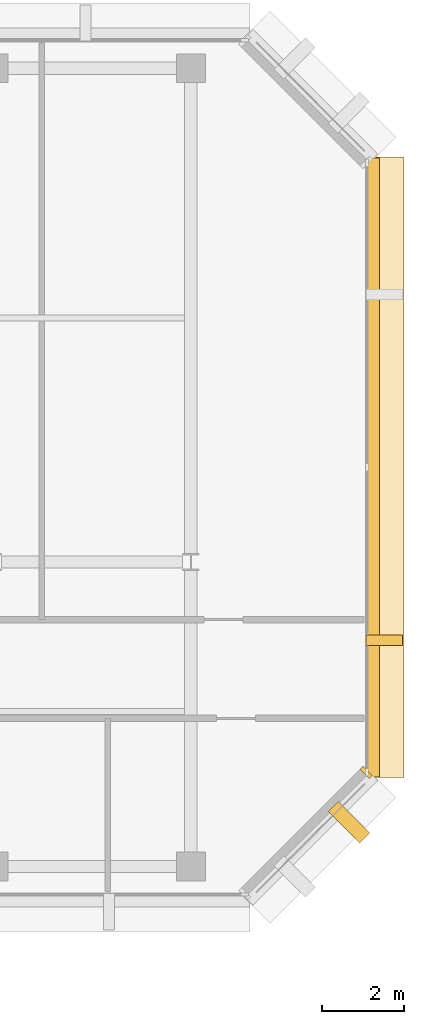
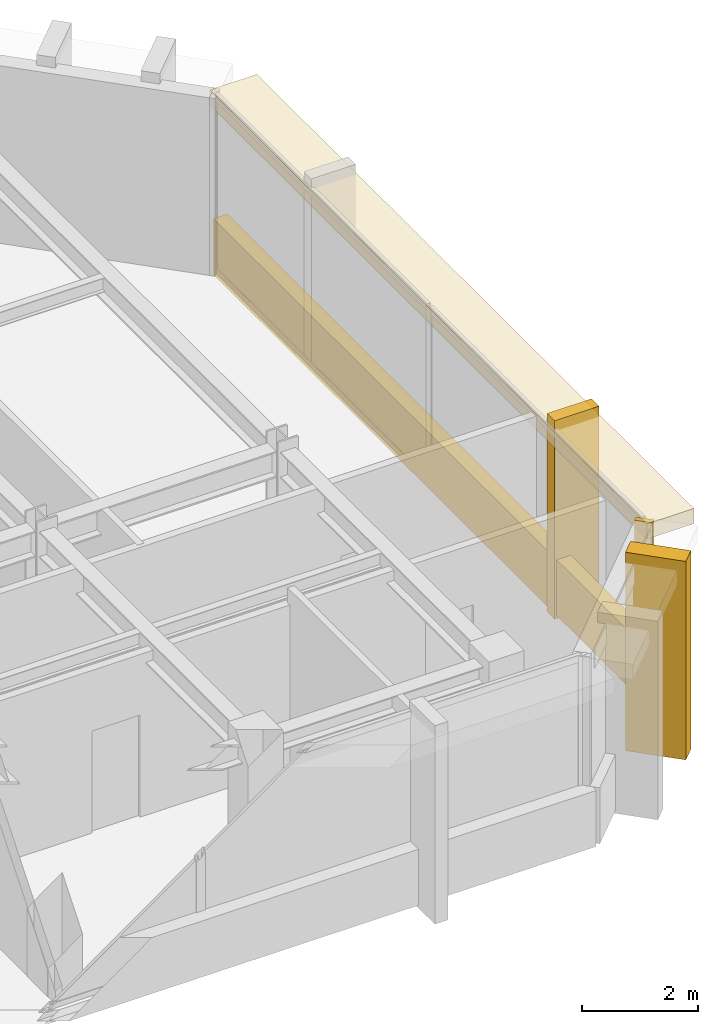
# One storey, part 10 of 12: 5 coverings.
"""IFC4 building model written with IfcOpenShell, lengths in metres."""

from ifc_helpers import new_model, si_unit, direction, frame, origin, origin_2d, place, context, subcontext, project, spatial, rectangle, extrude, material, layer, layer_set, type_object, element, save


model = new_model("IFC4")

# Units and contexts
model_context = context("Model", 3, precision=1e-05, world=origin(), true_north=direction((0.0, 1.0)))
body_context = subcontext(model_context, "Body", "Model", "MODEL_VIEW")
ifc_project = project(units=[si_unit("LENGTHUNIT", "METRE"), si_unit("AREAUNIT", "SQUARE_METRE"), si_unit("VOLUMEUNIT", "CUBIC_METRE"), si_unit("PLANEANGLEUNIT", "RADIAN"), si_unit("MASSUNIT", "GRAM", prefix="KILO")], contexts=[model_context])

# Site, building, storey
site_placement = place(None, origin())
site = spatial("IfcSite", under=ifc_project, at=site_placement, CompositionType="ELEMENT")
building_placement = place(site_placement, origin())
building = spatial("IfcBuilding", under=site, at=building_placement, Name="Kefirva Bronze Tower", CompositionType="ELEMENT")
storey_placement = place(building_placement, frame((0.0, 0.0, 296.010009765625)))
storey = spatial("IfcBuildingStorey", under=building, at=storey_placement, Name="L72", CompositionType="ELEMENT", Elevation=296.010009765625)

# Coverings
ifc_material = material(Name="Bronze anodised aluminium", Category="aluminium")
ifc_layer_1 = layer(ifc_material, 0.02001953125, Name="Bronze anodised aluminium")
ifc_layer_set_1 = layer_set([ifc_layer_1], Name="Bronze anodised aluminium")
covering_type_1 = type_object("IfcCoveringType", Name="Anodised Bronze Spandrel Cladding 20mm", PredefinedType="CLADDING", material=ifc_layer_set_1)
covering_1_placement = place(storey_placement, frame((44.26220703125, 28.08837890625, 0.0), z_axis=(0.0, 0.0, 1.0), x_axis=(0.707106781187, 0.707106781187, 0.0)))
element("IfcCovering", 1, at=covering_1_placement, inside=storey, type_object=covering_type_1, Name="L72 Facade Joint Closure Panel 7E", PredefinedType="CLADDING", context=body_context, shape_type="SweptSolid", body=[
    extrude(rectangle(XDim=0.10009765625, YDim=0.320068359375, at=origin_2d()), origin(), (0.0, 0.0, 1.0), 3.739990234375),
])
covering_2_placement = place(storey_placement, frame((44.43994140625, 35.5, -0.16015625), z_axis=(0.0, 0.0, 1.0), x_axis=(0.0, 1.0, 0.0)))
element("IfcCovering", 2, at=covering_2_placement, inside=storey, type_object=covering_type_1, Name="L72 Streamline Horizontal Spandrel Band 10", PredefinedType="CLADDING", context=body_context, shape_type="SweptSolid", body=[
    extrude(rectangle(XDim=15.0400390625, YDim=0.280029296875, at=origin_2d()), origin(), (0.0, 0.0, 1.0), 1.179931640625),
])
ifc_layer_2 = layer(ifc_material, 0.179931640625, Name="Bronze anodised aluminium")
ifc_layer_set_2 = layer_set([ifc_layer_2], Name="Bronze anodised aluminium")
covering_type_2 = type_object("IfcCoveringType", Name="Streamline Bronze Sunshade Eyebrow Cladding 180mm", PredefinedType="CLADDING", material=ifc_layer_set_2)
covering_3_placement = place(storey_placement, frame((44.7099609375, 35.5, 3.419921875), z_axis=(0.0, 0.0, 1.0), x_axis=(0.0, 1.0, 0.0)))
element("IfcCovering", 3, at=covering_3_placement, inside=storey, type_object=covering_type_2, Name="L72 Streamline Bronze Sunshade Eyebrow 10", PredefinedType="CLADDING", context=body_context, shape_type="SweptSolid", body=[
    extrude(rectangle(XDim=15.080078125, YDim=0.93994140625, at=origin_2d()), origin(), (0.0, 0.0, 1.0), 0.320068359375),
])
ifc_layer_3 = layer(ifc_material, 0.260009765625, Name="Bronze anodised aluminium")
ifc_layer_set_3 = layer_set([ifc_layer_3], Name="Bronze anodised aluminium")
covering_type_3 = type_object("IfcCoveringType", Name="Unbroken Bronze Buttress Fin Cladding 260mm", PredefinedType="CLADDING", material=ifc_layer_set_3)
covering_4_placement = place(storey_placement, frame((43.8427734375, 26.877197265625, -0.22021484375), z_axis=(0.0, 0.0, 1.0), x_axis=(0.707106781187, 0.707106781187, 0.0)))
element("IfcCovering", 4, at=covering_4_placement, inside=storey, type_object=covering_type_3, Name="L72 Chamfered Corner Buttress Fin Cladding 12", PredefinedType="CLADDING", context=body_context, shape_type="SweptSolid", body=[
    extrude(rectangle(XDim=0.340087890625, YDim=1.080078125, at=origin_2d()), origin(), (0.0, 0.0, 1.0), 4.179931640625),
])
covering_5_placement = place(storey_placement, frame((44.699951171875, 31.300048828125, -0.22021484375), z_axis=(0.0, 0.0, 1.0), x_axis=(0.0, 1.0, 0.0)))
element("IfcCovering", 5, at=covering_5_placement, inside=storey, type_object=covering_type_3, Name="L72 Unbroken Vertical Bronze Rib Fin 13", PredefinedType="CLADDING", context=body_context, shape_type="SweptSolid", body=[
    extrude(rectangle(XDim=0.260009765625, YDim=0.8798828125, at=origin_2d()), origin(), (0.0, 0.0, 1.0), 4.179931640625),
])

save(model, "model.ifc")
